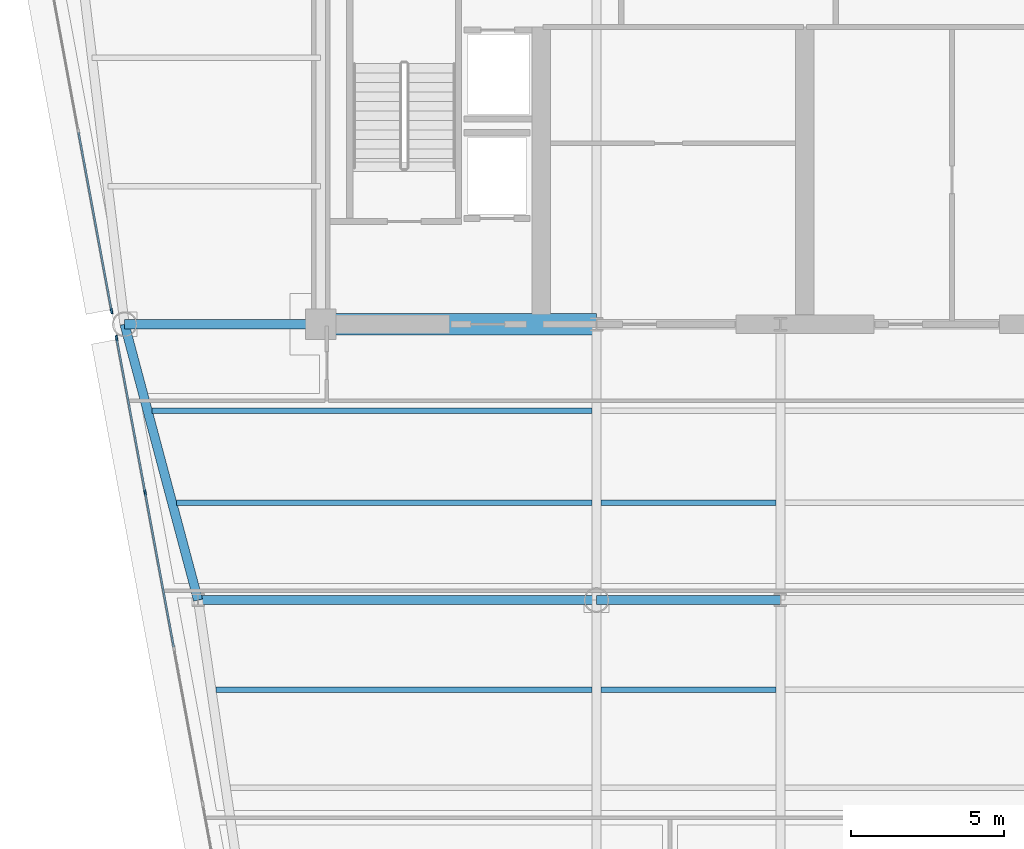
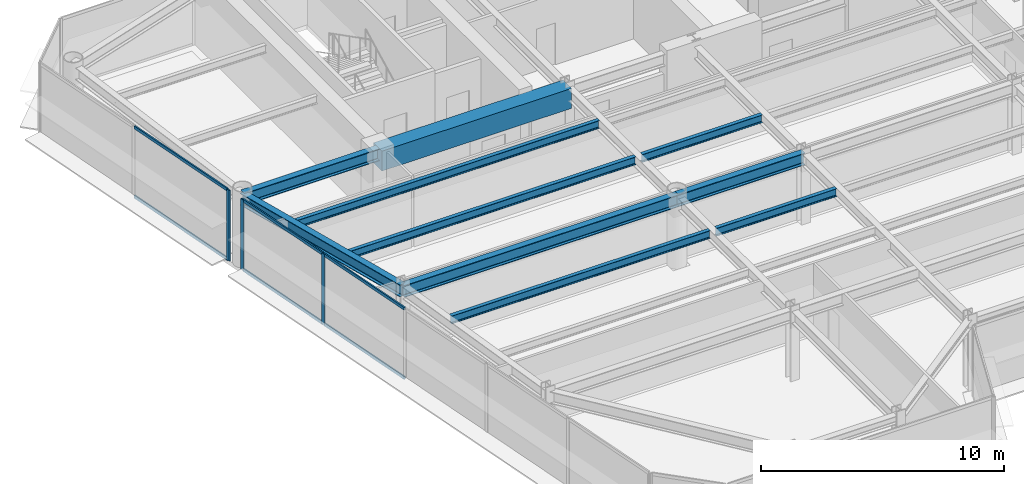
# One storey, part 4 of 17: 10 beams, 9 members, 2 elements without a shape of their own.
"""IFC4 building model written with IfcOpenShell, lengths in metres."""

from ifc_helpers import new_model, si_unit, direction, frame, origin, origin_2d, place, context, subcontext, project, spatial, rectangle, i_section, extrude, source, transform, mapped, material, layer, layer_set, material_profile, profile_set, type_object, element, aggregate, save


model = new_model("IFC4")

# Units and contexts
model_context = context("Model", 3, precision=1e-05, world=origin(), true_north=direction((0.0, 1.0)))
body_context = subcontext(model_context, "Body", "Model", "MODEL_VIEW")
ifc_project = project(units=[si_unit("LENGTHUNIT", "METRE"), si_unit("AREAUNIT", "SQUARE_METRE"), si_unit("VOLUMEUNIT", "CUBIC_METRE"), si_unit("PLANEANGLEUNIT", "RADIAN"), si_unit("MASSUNIT", "GRAM", prefix="KILO")], contexts=[model_context])

# Site, building, storey
site_placement = place(None, origin())
site = spatial("IfcSite", under=ifc_project, at=site_placement, CompositionType="ELEMENT")
building_placement = place(site_placement, origin())
building = spatial("IfcBuilding", under=site, at=building_placement, Name="Vaeldorn Concourse Tower", CompositionType="ELEMENT")
storey_placement = place(building_placement, frame((0.0, 0.0, 214.60009765625)))
storey = spatial("IfcBuildingStorey", under=building, at=storey_placement, Name="L55", CompositionType="ELEMENT", Elevation=214.60009765625)

# Beams
ifc_material_1 = material(Name="Concrete C50/60", Category="concrete")
ifc_material_profile_1 = material_profile(ifc_material_1, rectangle(XDim=0.699951171875, YDim=1.0, at=origin_2d()), Name="RC 700x1000")
ifc_profile_set_1 = profile_set([ifc_material_profile_1], Name="Concrete C50/60")
beam_type_1 = type_object("IfcBeamType", Name="BM-CB-RC700", PredefinedType="BEAM", material=ifc_profile_set_1)
shared_shape_1 = source(origin(), body_context, "Body", "SweptSolid", [
    extrude(rectangle(XDim=0.699951171875, YDim=1.0, at=origin_2d()), origin(), (0.0, 0.0, 1.0), 9.0),
])
beam_1_placement = place(storey_placement, frame((14.0, 36.5, 3.039794921875), z_axis=(1.0, 0.0, 0.0), x_axis=(0.0, 1.0, 0.0)))
element("IfcBeam", 1, at=beam_1_placement, inside=storey, type_object=beam_type_1, Name="Core Coupling Beam L55-1", PredefinedType="BEAM", context=body_context, shape_type="MappedRepresentation", body=[
    mapped(shared_shape_1, transform((0.0, 0.0, 0.0), scale=1.0)),
])
ifc_material_2 = material(Name="Steel S355", Category="steel")
ifc_material_profile_2 = material_profile(ifc_material_2, i_section(OverallWidth=0.300048828125, OverallDepth=0.60009765625, WebThickness=0.015380859375, FlangeThickness=0.030029296875, FilletRadius=0.027099609375, at=origin_2d()), Name="HEB 600")
ifc_profile_set_2 = profile_set([ifc_material_profile_2], Name="Steel S355")
beam_type_2 = type_object("IfcBeamType", Name="BM-PG-HEB600", PredefinedType="BEAM", material=ifc_profile_set_2)
shared_shape_2 = source(origin(), body_context, "Body", "SweptSolid", [
    extrude(i_section(OverallWidth=0.300048828125, OverallDepth=0.60009765625, WebThickness=0.015380859375, FlangeThickness=0.030029296875, FilletRadius=0.027099609375, at=origin_2d()), origin(), (0.0, 0.0, 1.0), 6.0),
])
beam_2_placement = place(storey_placement, frame((23.0, 27.5, 3.239990234375), z_axis=(1.0, 0.0, 0.0), x_axis=(0.0, 1.0, 0.0)))
element("IfcBeam", 2, at=beam_2_placement, inside=storey, type_object=beam_type_2, Name="Beam BM-L55-C-TW1-C-TW2", PredefinedType="BEAM", context=body_context, shape_type="MappedRepresentation", body=[
    mapped(shared_shape_2, transform((0.0, 0.0, 0.0), scale=1.0)),
])
shared_shape_3 = source(origin(), body_context, "Body", "SweptSolid", [
    extrude(i_section(OverallWidth=0.300048828125, OverallDepth=0.60009765625, WebThickness=0.015380859375, FlangeThickness=0.030029296875, FilletRadius=0.027099609375, at=origin_2d()), origin(), (0.0, 0.0, 1.0), 6.39990234375),
])
beam_3_placement = place(storey_placement, frame((7.60009765625, 36.5, 3.239990234375), z_axis=(1.0, 0.0, 0.0), x_axis=(0.0, 1.0, 0.0)))
element("IfcBeam", 3, at=beam_3_placement, inside=storey, type_object=beam_type_2, Name="Beam BM-L55-C-NW2-C-FC1", PredefinedType="BEAM", context=body_context, shape_type="MappedRepresentation", body=[
    mapped(shared_shape_3, transform((0.0, 0.0, 0.0), scale=1.0)),
])
shared_shape_4 = source(origin(), body_context, "Body", "SweptSolid", [
    extrude(i_section(OverallWidth=0.300048828125, OverallDepth=0.60009765625, WebThickness=0.015380859375, FlangeThickness=0.030029296875, FilletRadius=0.027099609375, at=origin_2d()), origin(), (0.0, 0.0, 1.0), 9.314453125),
])
beam_4_placement = place(storey_placement, frame((7.60009765625, 36.5, 3.239990234375), z_axis=(0.257652862255, -0.966237549763, 0.0), x_axis=(0.966237549763, 0.257652862255, 0.0)))
element("IfcBeam", 4, at=beam_4_placement, inside=storey, type_object=beam_type_2, Name="Beam BM-L55-C-NW2-C-FLW1", PredefinedType="BEAM", context=body_context, shape_type="MappedRepresentation", body=[
    mapped(shared_shape_4, transform((0.0, 0.0, 0.0), scale=1.0)),
])
shared_shape_5 = source(origin(), body_context, "Body", "SweptSolid", [
    extrude(i_section(OverallWidth=0.300048828125, OverallDepth=0.60009765625, WebThickness=0.015380859375, FlangeThickness=0.030029296875, FilletRadius=0.027099609375, at=origin_2d()), origin(), (0.0, 0.0, 1.0), 13.0),
])
beam_5_placement = place(storey_placement, frame((10.0, 27.5, 3.239990234375), z_axis=(1.0, 0.0, 0.0), x_axis=(0.0, 1.0, 0.0)))
element("IfcBeam", 5, at=beam_5_placement, inside=storey, type_object=beam_type_2, Name="Beam BM-L55-C-FLW1-C-TW1", PredefinedType="BEAM", context=body_context, shape_type="MappedRepresentation", body=[
    mapped(shared_shape_5, transform((0.0, 0.0, 0.0), scale=1.0)),
])
ifc_material_profile_3 = material_profile(ifc_material_2, i_section(OverallWidth=0.179931640625, OverallDepth=0.39990234375, WebThickness=0.008544921875, FlangeThickness=0.013427734375, FilletRadius=0.02099609375, at=origin_2d()), Name="IPE 400")
ifc_profile_set_3 = profile_set([ifc_material_profile_3], Name="Steel S355")
beam_type_3 = type_object("IfcBeamType", Name="BM-JS-IPE400", PredefinedType="JOIST", material=ifc_profile_set_3)
shared_shape_6 = source(origin(), body_context, "Body", "SweptSolid", [
    extrude(i_section(OverallWidth=0.179931640625, OverallDepth=0.39990234375, WebThickness=0.008544921875, FlangeThickness=0.013427734375, FilletRadius=0.02099609375, at=origin_2d()), origin(), (0.0, 0.0, 1.0), 5.7001953125),
])
for number, where, z_axis, x_axis, name in (
    (6, (23.14990234375, 24.580078125, 3.33984375), (1.0, 0.0, 0.0), (0.0, 1.0, 0.0), "Beam JS-L55-W2-245"),
    (7, (23.14990234375, 30.679931640625, 3.33984375), (1.0, 0.0, 0.0), (0.0, 1.0, 0.0), "Beam JS-L55-W2-306"),
):
    element("IfcBeam", number, at=place(storey_placement, frame(where, z_axis=z_axis, x_axis=x_axis)), inside=storey, type_object=beam_type_3, Name=name, PredefinedType="JOIST", context=body_context, shape_type="MappedRepresentation", body=[
        mapped(shared_shape_6, transform((0.0, 0.0, 0.0), scale=1.0)),
    ])
shared_shape_7 = source(origin(), body_context, "Body", "SweptSolid", [
    extrude(i_section(OverallWidth=0.179931640625, OverallDepth=0.39990234375, WebThickness=0.008544921875, FlangeThickness=0.013427734375, FilletRadius=0.02099609375, at=origin_2d()), origin(), (0.0, 0.0, 1.0), 12.269775390625),
])
beam_6_placement = place(storey_placement, frame((10.580322265625, 24.580078125, 3.33984375), z_axis=(1.0, 0.0, 0.0), x_axis=(0.0, 1.0, 0.0)))
element("IfcBeam", 8, at=beam_6_placement, inside=storey, type_object=beam_type_3, Name="Beam JS-L55-W1-245", PredefinedType="JOIST", context=body_context, shape_type="MappedRepresentation", body=[
    mapped(shared_shape_7, transform((0.0, 0.0, 0.0), scale=1.0)),
])
shared_shape_8 = source(origin(), body_context, "Body", "SweptSolid", [
    extrude(i_section(OverallWidth=0.179931640625, OverallDepth=0.39990234375, WebThickness=0.008544921875, FlangeThickness=0.013427734375, FilletRadius=0.02099609375, at=origin_2d()), origin(), (0.0, 0.0, 1.0), 13.548095703125),
])
beam_7_placement = place(storey_placement, frame((9.302001953125, 30.679931640625, 3.33984375), z_axis=(1.0, 0.0, 0.0), x_axis=(0.0, 1.0, 0.0)))
element("IfcBeam", 9, at=beam_7_placement, inside=storey, type_object=beam_type_3, Name="Beam JS-L55-W1-306", PredefinedType="JOIST", context=body_context, shape_type="MappedRepresentation", body=[
    mapped(shared_shape_8, transform((0.0, 0.0, 0.0), scale=1.0)),
])
shared_shape_9 = source(origin(), body_context, "Body", "SweptSolid", [
    extrude(i_section(OverallWidth=0.179931640625, OverallDepth=0.39990234375, WebThickness=0.008544921875, FlangeThickness=0.013427734375, FilletRadius=0.02099609375, at=origin_2d()), origin(), (0.0, 0.0, 1.0), 14.34814453125),
])
beam_8_placement = place(storey_placement, frame((8.501953125, 33.679931640625, 3.33984375), z_axis=(1.0, 0.0, 0.0), x_axis=(0.0, 1.0, 0.0)))
element("IfcBeam", 10, at=beam_8_placement, inside=storey, type_object=beam_type_3, Name="Beam JS-L55-W1-336", PredefinedType="JOIST", context=body_context, shape_type="MappedRepresentation", body=[
    mapped(shared_shape_9, transform((0.0, 0.0, 0.0), scale=1.0)),
])

# Curtain wall, members
ifc_material_3 = material(Name="Anodised Bronze Aluminium", Category="aluminium")
ifc_layer = layer(ifc_material_3, 0.18994140625)
ifc_layer_set = layer_set([ifc_layer], Name="Anodised Bronze Aluminium")
curtain_wall_type = type_object("IfcCurtainWallType", Name="CW-SYS-03", PredefinedType="NOTDEFINED", material=ifc_layer_set)
curtain_wall_1_placement = place(storey_placement, origin())
curtain_wall_1 = element("IfcCurtainWall", 11, at=curtain_wall_1_placement, inside=storey, type_object=curtain_wall_type, Name="Unitised Curtain Wall CW-L55-E11-2", PredefinedType="NOTDEFINED")
ifc_material_profile_4 = material_profile(ifc_material_3, rectangle(XDim=0.06494140625, YDim=0.14990234375, at=origin_2d()), Name="CWT 65x150")
ifc_profile_set_4 = profile_set([ifc_material_profile_4], Name="Anodised Bronze Aluminium")
member_type_1 = type_object("IfcMemberType", Name="CWT-BRONZE-150", PredefinedType="USERDEFINED", material=ifc_profile_set_4)
shared_shape_10 = source(origin(), body_context, "Body", "SweptSolid", [
    extrude(rectangle(XDim=0.06494140625, YDim=0.14990234375, at=origin_2d()), origin(), (0.0, 0.0, 1.0), 5.065185546875),
])
member_1_placement = place(storey_placement, frame((7.345458984375, 36.01953125, 0.032470703125), z_axis=(0.181904577794, -0.983316187489, 0.0), x_axis=(0.983316187489, 0.181904577794, 0.0)))
member_1 = element("IfcMember", 12, at=member_1_placement, type_object=member_type_1, Name="CW-03 transom 1.1", ObjectType="TRANSOM", PredefinedType="USERDEFINED", context=body_context, shape_type="MappedRepresentation", body=[
    mapped(shared_shape_10, transform((0.0, 0.0, 0.0), scale=1.0)),
])
member_2_placement = place(storey_placement, frame((7.345458984375, 36.01953125, 3.50732421875), z_axis=(0.181904577794, -0.983316187489, 0.0), x_axis=(0.983316187489, 0.181904577794, 0.0)))
member_2 = element("IfcMember", 13, at=member_2_placement, type_object=member_type_1, Name="CW-03 transom 1.2", ObjectType="TRANSOM", PredefinedType="USERDEFINED", context=body_context, shape_type="MappedRepresentation", body=[
    mapped(shared_shape_10, transform((0.0, 0.0, 0.0), scale=1.0)),
])
shared_shape_11 = source(origin(), body_context, "Body", "SweptSolid", [
    extrude(rectangle(XDim=0.06494140625, YDim=0.14990234375, at=origin_2d()), origin(), (0.0, 0.0, 1.0), 5.09765625),
])
member_3_placement = place(storey_placement, frame((8.278564453125, 30.974853515625, 0.032470703125), z_axis=(0.181893750584, -0.983318190363, 0.0), x_axis=(0.983318190363, 0.181893750584, 0.0)))
member_3 = element("IfcMember", 14, at=member_3_placement, type_object=member_type_1, Name="CW-03 transom 2.1", ObjectType="TRANSOM", PredefinedType="USERDEFINED", context=body_context, shape_type="MappedRepresentation", body=[
    mapped(shared_shape_11, transform((0.0, 0.0, 0.0), scale=1.0)),
])
member_4_placement = place(storey_placement, frame((8.278564453125, 30.974853515625, 3.50732421875), z_axis=(0.181893750584, -0.983318190363, 0.0), x_axis=(0.983318190363, 0.181893750584, 0.0)))
member_4 = element("IfcMember", 15, at=member_4_placement, type_object=member_type_1, Name="CW-03 transom 2.2", ObjectType="TRANSOM", PredefinedType="USERDEFINED", context=body_context, shape_type="MappedRepresentation", body=[
    mapped(shared_shape_11, transform((0.0, 0.0, 0.0), scale=1.0)),
])

curtain_wall_2_placement = place(storey_placement, origin())
curtain_wall_2 = element("IfcCurtainWall", 16, at=curtain_wall_2_placement, inside=storey, type_object=curtain_wall_type, Name="Unitised Curtain Wall CW-L55-E11-1", PredefinedType="NOTDEFINED")
shared_shape_12 = source(origin(), body_context, "Body", "SweptSolid", [
    extrude(rectangle(XDim=0.06494140625, YDim=0.14990234375, at=origin_2d()), origin(), (0.0, 0.0, 1.0), 5.90478515625),
])
member_5_placement = place(storey_placement, frame((6.09765625, 42.765869140625, 0.032470703125), z_axis=(0.181879018898, -0.983320915309, 0.0), x_axis=(0.983320915309, 0.181879018898, 0.0)))
member_5 = element("IfcMember", 17, at=member_5_placement, type_object=member_type_1, Name="CW-03 transom 2.1", ObjectType="TRANSOM", PredefinedType="USERDEFINED", context=body_context, shape_type="MappedRepresentation", body=[
    mapped(shared_shape_12, transform((0.0, 0.0, 0.0), scale=1.0)),
])
member_6_placement = place(storey_placement, frame((6.09765625, 42.765869140625, 3.50732421875), z_axis=(0.181879018898, -0.983320915309, 0.0), x_axis=(0.983320915309, 0.181879018898, 0.0)))
member_6 = element("IfcMember", 18, at=member_6_placement, type_object=member_type_1, Name="CW-03 transom 2.2", ObjectType="TRANSOM", PredefinedType="USERDEFINED", context=body_context, shape_type="MappedRepresentation", body=[
    mapped(shared_shape_12, transform((0.0, 0.0, 0.0), scale=1.0)),
])
ifc_material_profile_5 = material_profile(ifc_material_3, rectangle(XDim=0.06494140625, YDim=0.169921875, at=origin_2d()), Name="CWM 65x170")
ifc_profile_set_5 = profile_set([ifc_material_profile_5], Name="Anodised Bronze Aluminium")
member_type_2 = type_object("IfcMemberType", Name="CWM-BRONZE-170", PredefinedType="MULLION", material=ifc_profile_set_5)
shared_shape_13 = source(origin(), body_context, "Body", "SweptSolid", [
    extrude(rectangle(XDim=0.06494140625, YDim=0.169921875, at=origin_2d()), origin(), (0.0, 0.0, 1.0), 3.539794921875),
])
member_7_placement = place(storey_placement, frame((7.177490234375, 36.927490234375, 0.0), z_axis=(0.0, 0.0, 1.0), x_axis=(0.983319270992, 0.181887908602, 0.0)))
member_7 = element("IfcMember", 19, at=member_7_placement, type_object=member_type_2, Name="CW-03 mullion 3", PredefinedType="MULLION", context=body_context, shape_type="MappedRepresentation", body=[
    mapped(shared_shape_13, transform((0.0, 0.0, 0.0), scale=1.0)),
])
aggregate(curtain_wall_2, [member_7, member_5, member_6])

# Member
member_8_placement = place(storey_placement, frame((7.339599609375, 36.051513671875, 0.0), z_axis=(0.0, 0.0, 1.0), x_axis=(0.983319079021, 0.181888946432, 0.0)))
member_8 = element("IfcMember", 20, at=member_8_placement, type_object=member_type_2, Name="CW-03 mullion 1", PredefinedType="MULLION", context=body_context, shape_type="MappedRepresentation", body=[
    mapped(shared_shape_13, transform((0.0, 0.0, 0.0), scale=1.0)),
])

member_9_placement = place(storey_placement, frame((8.272705078125, 31.0068359375, 0.0), z_axis=(0.0, 0.0, 1.0), x_axis=(0.983319079021, 0.181888946432, 0.0)))
member_9 = element("IfcMember", 21, at=member_9_placement, type_object=member_type_2, Name="CW-03 mullion 2", PredefinedType="MULLION", context=body_context, shape_type="MappedRepresentation", body=[
    mapped(shared_shape_13, transform((0.0, 0.0, 0.0), scale=1.0)),
])

aggregate(curtain_wall_1, [member_8, member_9, member_1, member_2, member_3, member_4])

save(model, "model.ifc")
